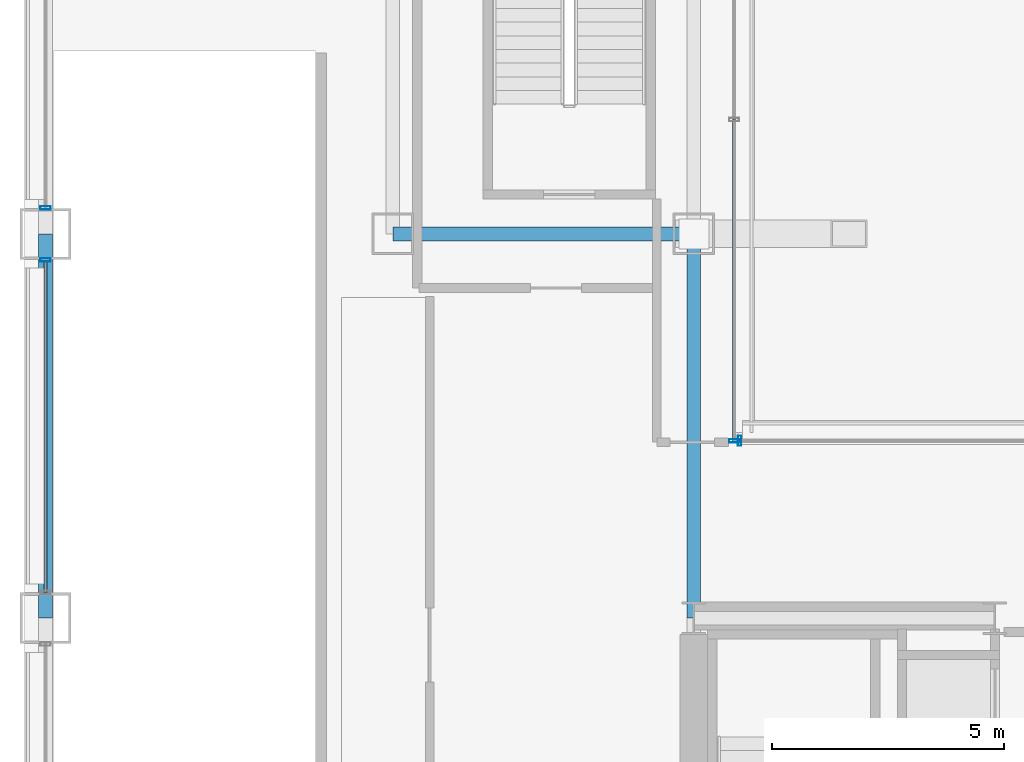
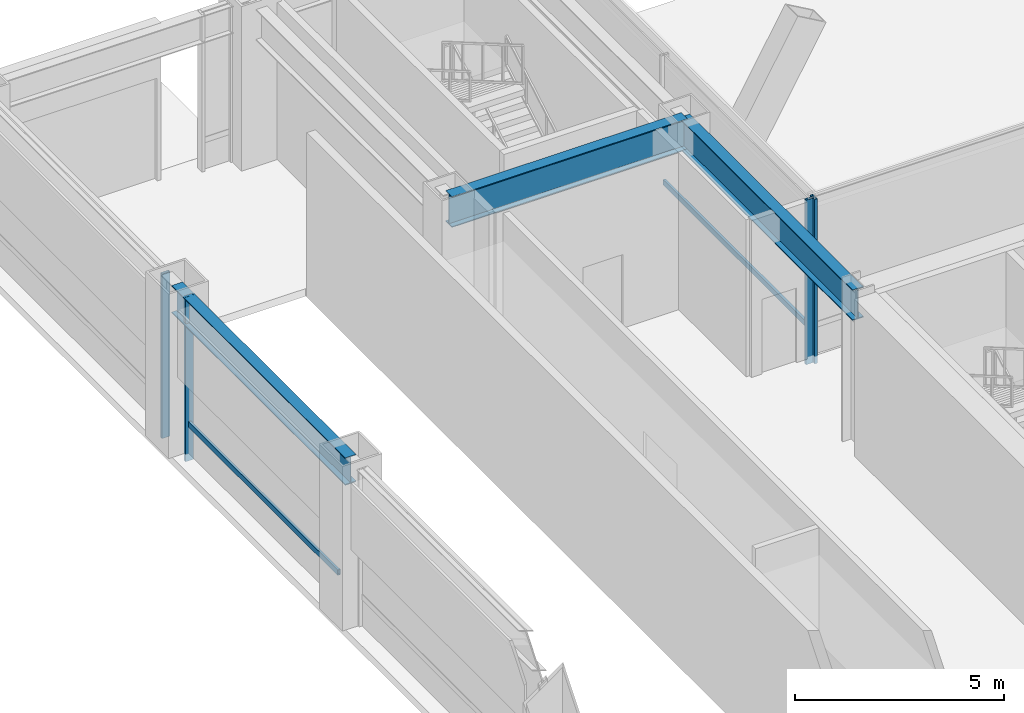
# One storey, part 13 of 37: 6 members, 3 beams, 4 elements without a shape of their own.
"""IFC4 building model written with IfcOpenShell, lengths in metres."""

from ifc_helpers import new_model, si_unit, direction, frame, origin, origin_2d, place, context, subcontext, project, spatial, hollow_rectangle, i_section, extrude, material, layer, layer_set, material_profile, profile_set, type_object, element, aggregate, save


model = new_model("IFC4")

# Units and contexts
model_context = context("Model", 3, precision=1e-05, world=origin(), true_north=direction((0.0, 1.0)))
body_context = subcontext(model_context, "Body", "Model", "MODEL_VIEW")
ifc_project = project(units=[si_unit("LENGTHUNIT", "METRE"), si_unit("AREAUNIT", "SQUARE_METRE"), si_unit("VOLUMEUNIT", "CUBIC_METRE"), si_unit("PLANEANGLEUNIT", "RADIAN"), si_unit("MASSUNIT", "GRAM", prefix="KILO")], contexts=[model_context])

# Site, building, storey
site_placement = place(None, origin())
site = spatial("IfcSite", under=ifc_project, at=site_placement, CompositionType="ELEMENT")
building_placement = place(site_placement, origin())
building = spatial("IfcBuilding", under=site, at=building_placement, Name="Brelmoor Portico Tower", CompositionType="ELEMENT")
storey_placement = place(building_placement, origin())
storey = spatial("IfcBuildingStorey", under=building, at=storey_placement, Name="L00", CompositionType="ELEMENT", Elevation=0.0)

# Beams
ifc_material_1 = material(Name="Steel Q355B", Category="steel")
ifc_material_profile_1 = material_profile(ifc_material_1, i_section(OverallWidth=0.300048828125, OverallDepth=0.89990234375, WebThickness=0.01611328125, FlangeThickness=0.028076171875, at=origin_2d()), Name="HN 900x300x16x28")
ifc_profile_set_1 = profile_set([ifc_material_profile_1], Name="Steel Q355B")
beam_type_1 = type_object("IfcBeamType", Name="BM-PG-900", PredefinedType="BEAM", material=ifc_profile_set_1)
beam_1_placement = place(storey_placement, frame((-14.550048828125, 9.75, 4.1298828125), z_axis=(0.0, 1.0, 0.0), x_axis=(-1.0, 0.0, 0.0)))
element("IfcBeam", 1, at=beam_1_placement, inside=storey, type_object=beam_type_1, Name="L00 Primary Floor Girder PG-08", PredefinedType="BEAM", context=body_context, shape_type="SweptSolid", body=[
    extrude(i_section(OverallWidth=0.300048828125, OverallDepth=0.89990234375, WebThickness=0.01611328125, FlangeThickness=0.028076171875, at=origin_2d()), origin(), (0.0, 0.0, 1.0), 8.300048828125),
])
beam_2_placement = place(storey_placement, frame((-21.050048828125, 18.050048828125, 4.1298828125), z_axis=(1.0, 0.0, 0.0), x_axis=(0.0, 1.0, 0.0)))
element("IfcBeam", 2, at=beam_2_placement, inside=storey, type_object=beam_type_1, Name="L00 Primary Floor Girder PG-35", PredefinedType="BEAM", context=body_context, shape_type="SweptSolid", body=[
    extrude(i_section(OverallWidth=0.300048828125, OverallDepth=0.89990234375, WebThickness=0.01611328125, FlangeThickness=0.028076171875, at=origin_2d()), origin(), (0.0, 0.0, 1.0), 6.5),
])
ifc_material_profile_2 = material_profile(ifc_material_1, i_section(OverallWidth=0.300048828125, OverallDepth=0.800048828125, WebThickness=0.013916015625, FlangeThickness=0.02587890625, at=origin_2d()), Name="HN 800x300x14x26")
ifc_profile_set_2 = profile_set([ifc_material_profile_2], Name="Steel Q355B")
beam_type_2 = type_object("IfcBeamType", Name="BM-SP-800", PredefinedType="SPANDREL", material=ifc_profile_set_2)
beam_3_placement = place(storey_placement, frame((-28.550048828125, 9.75, 4.179931640625), z_axis=(0.0, 1.0, 0.0), x_axis=(-1.0, 0.0, 0.0)))
element("IfcBeam", 3, at=beam_3_placement, inside=storey, type_object=beam_type_2, Name="L00 Perimeter Spandrel Beam SP-13", PredefinedType="SPANDREL", context=body_context, shape_type="SweptSolid", body=[
    extrude(i_section(OverallWidth=0.300048828125, OverallDepth=0.800048828125, WebThickness=0.013916015625, FlangeThickness=0.02587890625, at=origin_2d()), origin(), (0.0, 0.0, 1.0), 8.300048828125),
])

# Curtain wall, member
ifc_material_2 = material(Name="Anodised Aluminium Alloy 6063-T6", Category="aluminium")
ifc_layer = layer(ifc_material_2, 0.179931640625)
ifc_layer_set = layer_set([ifc_layer], Name="Anodised Aluminium Alloy 6063-T6")
curtain_wall_type = type_object("IfcCurtainWallType", Name="CW-PODIUM-ARCH", PredefinedType="NOTDEFINED", material=ifc_layer_set)
curtain_wall_1_placement = place(storey_placement, origin())
curtain_wall_1 = element("IfcCurtainWall", 4, at=curtain_wall_1_placement, inside=storey, type_object=curtain_wall_type, Name="L00 Curtain Wall CW-L00-05-5", PredefinedType="NOTDEFINED")
ifc_material_profile_3 = material_profile(ifc_material_2, hollow_rectangle(XDim=0.074951171875, YDim=0.219970703125, WallThickness=0.0048828125, at=origin_2d()), Name="ALU MULLION 75x220")
ifc_profile_set_3 = profile_set([ifc_material_profile_3], Name="Anodised Aluminium Alloy 6063-T6")
member_type_1 = type_object("IfcMemberType", Name="MB-CW-MULL-220", PredefinedType="MULLION", material=ifc_profile_set_3)
member_1_placement = place(storey_placement, frame((-28.550048828125, 17.489990234375, -0.219970703125), z_axis=(0.0, 0.0, 1.0), x_axis=(0.0, 1.0, 0.0)))
member_1 = element("IfcMember", 5, at=member_1_placement, type_object=member_type_1, Name="CW-L00-05-5 Mullion 01", PredefinedType="MULLION", context=body_context, shape_type="SweptSolid", body=[
    extrude(hollow_rectangle(XDim=0.074951171875, YDim=0.219970703125, WallThickness=0.0048828125, at=origin_2d()), origin(), (0.0, 0.0, 1.0), 4.800048828125),
])

curtain_wall_2_placement = place(storey_placement, origin())
curtain_wall_2 = element("IfcCurtainWall", 6, at=curtain_wall_2_placement, inside=storey, type_object=curtain_wall_type, Name="L00 Curtain Wall CW-L00-05-6", PredefinedType="NOTDEFINED")
member_2_placement = place(storey_placement, frame((-28.550048828125, 18.610107421875, -0.219970703125), z_axis=(0.0, 0.0, 1.0), x_axis=(0.0, 1.0, 0.0)))
member_2 = element("IfcMember", 7, at=member_2_placement, type_object=member_type_1, Name="CW-L00-05-6 Mullion 00", PredefinedType="MULLION", context=body_context, shape_type="SweptSolid", body=[
    extrude(hollow_rectangle(XDim=0.074951171875, YDim=0.219970703125, WallThickness=0.0048828125, at=origin_2d()), origin(), (0.0, 0.0, 1.0), 4.800048828125),
])
aggregate(curtain_wall_2, [member_2])

curtain_wall_3_placement = place(storey_placement, origin())
curtain_wall_3 = element("IfcCurtainWall", 8, at=curtain_wall_3_placement, inside=storey, type_object=curtain_wall_type, Name="L00 Curtain Wall CW-L00-09", PredefinedType="NOTDEFINED")
member_3_placement = place(storey_placement, frame((-13.679931640625, 13.580078125, -0.219970703125), z_axis=(0.0, 0.0, 1.0), x_axis=(0.0, 1.0, 0.0)))
member_3 = element("IfcMember", 9, at=member_3_placement, type_object=member_type_1, Name="CW-L00-09 Mullion 00", PredefinedType="MULLION", context=body_context, shape_type="SweptSolid", body=[
    extrude(hollow_rectangle(XDim=0.074951171875, YDim=0.219970703125, WallThickness=0.0048828125, at=origin_2d()), origin(), (0.0, 0.0, 1.0), 4.800048828125),
])

curtain_wall_4_placement = place(storey_placement, origin())
curtain_wall_4 = element("IfcCurtainWall", 10, at=curtain_wall_4_placement, inside=storey, type_object=curtain_wall_type, Name="L00 Curtain Wall CW-L00-13", PredefinedType="NOTDEFINED")
member_4_placement = place(storey_placement, frame((-13.56005859375, 13.580078125, -0.219970703125), z_axis=(0.0, 0.0, 1.0), x_axis=(1.0, 0.0, 0.0)))
member_4 = element("IfcMember", 11, at=member_4_placement, type_object=member_type_1, Name="CW-L00-13 Mullion 00", PredefinedType="MULLION", context=body_context, shape_type="SweptSolid", body=[
    extrude(hollow_rectangle(XDim=0.074951171875, YDim=0.219970703125, WallThickness=0.0048828125, at=origin_2d()), origin(), (0.0, 0.0, 1.0), 4.800048828125),
])
aggregate(curtain_wall_4, [member_4])

# Member
ifc_material_profile_4 = material_profile(ifc_material_2, hollow_rectangle(XDim=0.070068359375, YDim=0.159912109375, WallThickness=0.00390625, at=origin_2d()), Name="ALU TRANSOM 70x160")
ifc_profile_set_4 = profile_set([ifc_material_profile_4], Name="Anodised Aluminium Alloy 6063-T6")
member_type_2 = type_object("IfcMemberType", Name="MB-CW-TRAN-160", PredefinedType="USERDEFINED", material=ifc_profile_set_4)
member_5_placement = place(storey_placement, frame((-28.550048828125, 10.31005859375, 0.85009765625), z_axis=(0.0, 1.0, 0.0), x_axis=(-1.0, 0.0, 0.0)))
member_5 = element("IfcMember", 12, at=member_5_placement, type_object=member_type_2, Name="CW-L00-05-5 Transom 1-00", ObjectType="TRANSOM", PredefinedType="USERDEFINED", context=body_context, shape_type="SweptSolid", body=[
    extrude(hollow_rectangle(XDim=0.070068359375, YDim=0.159912109375, WallThickness=0.00390625, at=origin_2d()), origin(), (0.0, 0.0, 1.0), 7.179931640625),
])

aggregate(curtain_wall_1, [member_1, member_5])

member_6_placement = place(storey_placement, frame((-13.679931640625, 13.580078125, 0.85009765625), z_axis=(0.0, 1.0, 0.0), x_axis=(-1.0, 0.0, 0.0)))
member_6 = element("IfcMember", 13, at=member_6_placement, type_object=member_type_2, Name="CW-L00-09 Transom 1-00", ObjectType="TRANSOM", PredefinedType="USERDEFINED", context=body_context, shape_type="SweptSolid", body=[
    extrude(hollow_rectangle(XDim=0.070068359375, YDim=0.159912109375, WallThickness=0.00390625, at=origin_2d()), origin(), (0.0, 0.0, 1.0), 6.934814453125),
])

aggregate(curtain_wall_3, [member_3, member_6])

save(model, "model.ifc")
